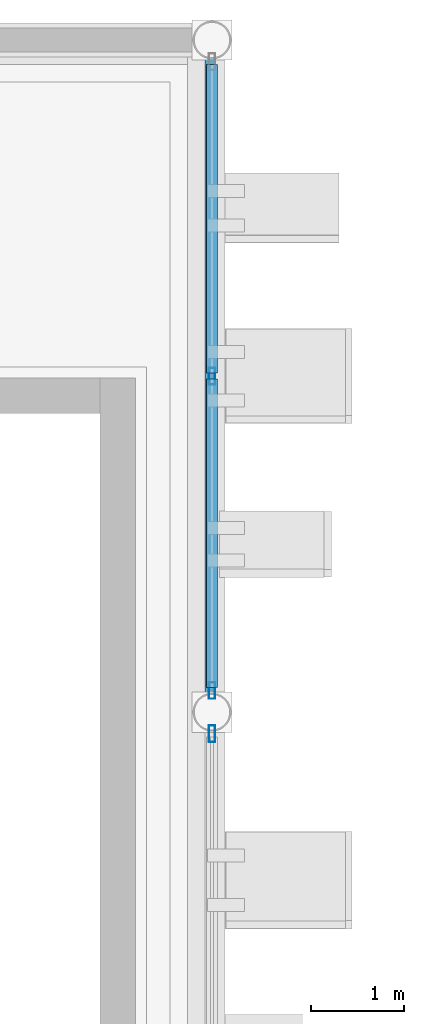
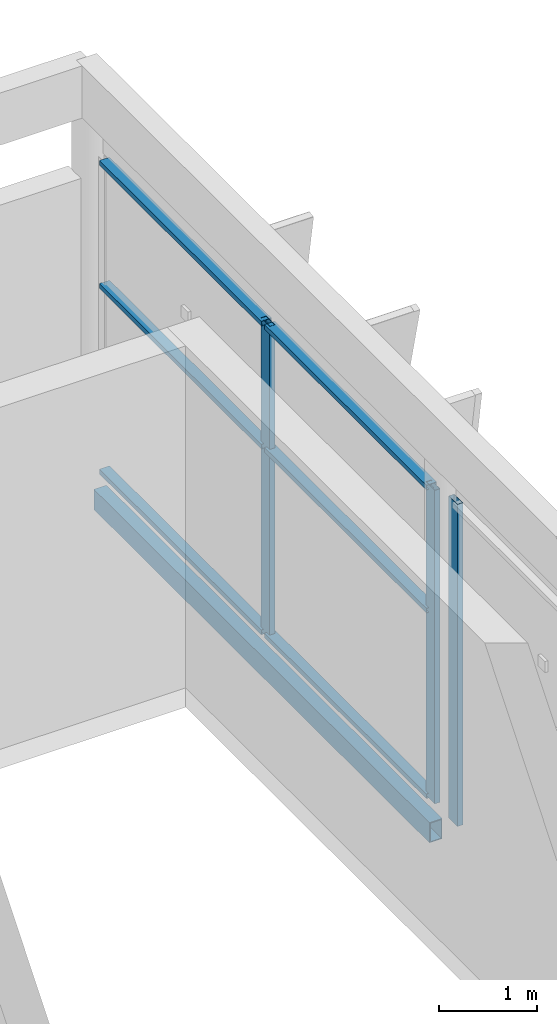
# One storey, part 33 of 52: 9 members, 1 beam, 2 elements without a shape of their own.
"""IFC4 building model written with IfcOpenShell, lengths in metres."""

from ifc_helpers import new_model, si_unit, direction, frame, origin, origin_2d, place, context, subcontext, project, spatial, hollow_rectangle, extrude, material, layer, layer_set, material_profile, profile_set, type_object, element, aggregate, save


model = new_model("IFC4")

# Units and contexts
model_context = context("Model", 3, precision=1e-05, world=origin(), true_north=direction((0.0, 1.0)))
body_context = subcontext(model_context, "Body", "Model", "MODEL_VIEW")
ifc_project = project(units=[si_unit("LENGTHUNIT", "METRE"), si_unit("AREAUNIT", "SQUARE_METRE"), si_unit("VOLUMEUNIT", "CUBIC_METRE"), si_unit("PLANEANGLEUNIT", "RADIAN"), si_unit("MASSUNIT", "GRAM", prefix="KILO")], contexts=[model_context])

# Site, building, storey
site_placement = place(None, origin())
site = spatial("IfcSite", under=ifc_project, at=site_placement, CompositionType="ELEMENT")
building_placement = place(site_placement, origin())
building = spatial("IfcBuilding", under=site, at=building_placement, Name="Celestram Park Convention Centre", CompositionType="ELEMENT")
storey_placement = place(building_placement, frame((0.0, 0.0, 24.300048828125)))
storey = spatial("IfcBuildingStorey", under=building, at=storey_placement, Name="L05", CompositionType="ELEMENT", Elevation=24.300048828125)

# Curtain wall, members
ifc_material_1 = material(Name="Anodised Aluminium Alloy 6063-T6", Category="aluminium")
ifc_layer_1 = layer(ifc_material_1, 0.179931640625)
ifc_layer_set_1 = layer_set([ifc_layer_1], Name="Anodised Aluminium Alloy 6063-T6")
curtain_wall_type_1 = type_object("IfcCurtainWallType", Name="ARC-CW-680X390", PredefinedType="NOTDEFINED", material=ifc_layer_set_1)
curtain_wall_1_placement = place(storey_placement, origin())
curtain_wall_1 = element("IfcCurtainWall", 1, at=curtain_wall_1_placement, inside=storey, type_object=curtain_wall_type_1, Name="Unitised curtain wall CU-L05-251", PredefinedType="NOTDEFINED")
ifc_material_profile_1 = material_profile(ifc_material_1, hollow_rectangle(XDim=0.06494140625, YDim=0.179931640625, WallThickness=0.00390625, at=origin_2d()), Name="ALU65X180X4")
ifc_profile_set_1 = profile_set([ifc_material_profile_1], Name="Anodised Aluminium Alloy 6063-T6")
member_type_1 = type_object("IfcMemberType", Name="ARC-CWM-150", PredefinedType="MULLION", material=ifc_profile_set_1)
member_1_placement = place(storey_placement, frame((99.0, 162.0, 0.0), z_axis=(0.0, 0.0, 1.0), x_axis=(1.0, 0.0, 0.0)))
member_1 = element("IfcMember", 2, at=member_1_placement, type_object=member_type_1, Name="CW-68X39 mullion 2", PredefinedType="MULLION", context=body_context, shape_type="SweptSolid", body=[
    extrude(hollow_rectangle(XDim=0.06494140625, YDim=0.179931640625, WallThickness=0.00390625, at=origin_2d()), origin(), (0.0, 0.0, 1.0), 3.904052734375),
])
member_2_placement = place(storey_placement, frame((99.0, 158.631591796875, 0.0), z_axis=(0.0, 0.0, 1.0), x_axis=(1.0, 0.0, 0.0)))
member_2 = element("IfcMember", 3, at=member_2_placement, type_object=member_type_1, Name="CW-68X39 mullion 3", PredefinedType="MULLION", context=body_context, shape_type="SweptSolid", body=[
    extrude(hollow_rectangle(XDim=0.06494140625, YDim=0.179931640625, WallThickness=0.00390625, at=origin_2d()), origin(), (0.0, 0.0, 1.0), 3.904052734375),
])

# Curtain wall, member
ifc_layer_2 = layer(ifc_material_1, 0.179931640625)
ifc_layer_set_2 = layer_set([ifc_layer_2], Name="Anodised Aluminium Alloy 6063-T6")
curtain_wall_type_2 = type_object("IfcCurtainWallType", Name="ARC-CW-680X401", PredefinedType="NOTDEFINED", material=ifc_layer_set_2)
curtain_wall_2_placement = place(storey_placement, origin())
curtain_wall_2 = element("IfcCurtainWall", 4, at=curtain_wall_2_placement, inside=storey, type_object=curtain_wall_type_2, Name="Unitised curtain wall CU-L05-252", PredefinedType="NOTDEFINED")
member_3_placement = place(storey_placement, frame((99.0, 158.16845703125, 0.0), z_axis=(0.0, 0.0, 1.0), x_axis=(1.0, 0.0, 0.0)))
member_3 = element("IfcMember", 5, at=member_3_placement, type_object=member_type_1, Name="CW-68X40 mullion 1", PredefinedType="MULLION", context=body_context, shape_type="SweptSolid", body=[
    extrude(hollow_rectangle(XDim=0.06494140625, YDim=0.179931640625, WallThickness=0.00390625, at=origin_2d()), origin(), (0.0, 0.0, 1.0), 4.010009765625),
])
aggregate(curtain_wall_2, [member_3])

# Member
ifc_material_profile_2 = material_profile(ifc_material_1, hollow_rectangle(XDim=0.1201171875, YDim=0.06005859375, WallThickness=0.0029296875, at=origin_2d()), Name="ALU120X60X3")
ifc_profile_set_2 = profile_set([ifc_material_profile_2], Name="Anodised Aluminium Alloy 6063-T6")
member_type_2 = type_object("IfcMemberType", Name="ARC-CWT-120", PredefinedType="USERDEFINED", material=ifc_profile_set_2)
member_4_placement = place(storey_placement, frame((99.0, 165.3359375, 0.030029296875), z_axis=(0.0, -1.0, 0.0), x_axis=(1.0, 0.0, 0.0)))
member_4 = element("IfcMember", 6, at=member_4_placement, type_object=member_type_2, Name="CW-68X39 transom 1.1", ObjectType="TRANSOM", PredefinedType="USERDEFINED", context=body_context, shape_type="SweptSolid", body=[
    extrude(hollow_rectangle(XDim=0.1201171875, YDim=0.06005859375, WallThickness=0.0029296875, at=origin_2d()), origin(), (0.0, 0.0, 1.0), 3.303466796875),
])

member_5_placement = place(storey_placement, frame((99.0, 165.3359375, 2.342041015625), z_axis=(0.0, -1.0, 0.0), x_axis=(1.0, 0.0, 0.0)))
member_5 = element("IfcMember", 7, at=member_5_placement, type_object=member_type_2, Name="CW-68X39 transom 1.2", ObjectType="TRANSOM", PredefinedType="USERDEFINED", context=body_context, shape_type="SweptSolid", body=[
    extrude(hollow_rectangle(XDim=0.1201171875, YDim=0.06005859375, WallThickness=0.0029296875, at=origin_2d()), origin(), (0.0, 0.0, 1.0), 3.303466796875),
])

member_6_placement = place(storey_placement, frame((99.0, 165.3359375, 3.8740234375), z_axis=(0.0, -1.0, 0.0), x_axis=(1.0, 0.0, 0.0)))
member_6 = element("IfcMember", 8, at=member_6_placement, type_object=member_type_2, Name="CW-68X39 transom 1.3", ObjectType="TRANSOM", PredefinedType="USERDEFINED", context=body_context, shape_type="SweptSolid", body=[
    extrude(hollow_rectangle(XDim=0.1201171875, YDim=0.06005859375, WallThickness=0.0029296875, at=origin_2d()), origin(), (0.0, 0.0, 1.0), 3.303466796875),
])

member_7_placement = place(storey_placement, frame((99.0, 161.967529296875, 0.030029296875), z_axis=(0.0, -1.0, 0.0), x_axis=(1.0, 0.0, 0.0)))
member_7 = element("IfcMember", 9, at=member_7_placement, type_object=member_type_2, Name="CW-68X39 transom 2.1", ObjectType="TRANSOM", PredefinedType="USERDEFINED", context=body_context, shape_type="SweptSolid", body=[
    extrude(hollow_rectangle(XDim=0.1201171875, YDim=0.06005859375, WallThickness=0.0029296875, at=origin_2d()), origin(), (0.0, 0.0, 1.0), 3.303466796875),
])

member_8_placement = place(storey_placement, frame((99.0, 161.967529296875, 2.342041015625), z_axis=(0.0, -1.0, 0.0), x_axis=(1.0, 0.0, 0.0)))
member_8 = element("IfcMember", 10, at=member_8_placement, type_object=member_type_2, Name="CW-68X39 transom 2.2", ObjectType="TRANSOM", PredefinedType="USERDEFINED", context=body_context, shape_type="SweptSolid", body=[
    extrude(hollow_rectangle(XDim=0.1201171875, YDim=0.06005859375, WallThickness=0.0029296875, at=origin_2d()), origin(), (0.0, 0.0, 1.0), 3.303466796875),
])

member_9_placement = place(storey_placement, frame((99.0, 161.967529296875, 3.8740234375), z_axis=(0.0, -1.0, 0.0), x_axis=(1.0, 0.0, 0.0)))
member_9 = element("IfcMember", 11, at=member_9_placement, type_object=member_type_2, Name="CW-68X39 transom 2.3", ObjectType="TRANSOM", PredefinedType="USERDEFINED", context=body_context, shape_type="SweptSolid", body=[
    extrude(hollow_rectangle(XDim=0.1201171875, YDim=0.06005859375, WallThickness=0.0029296875, at=origin_2d()), origin(), (0.0, 0.0, 1.0), 3.303466796875),
])

aggregate(curtain_wall_1, [member_1, member_2, member_4, member_5, member_6, member_7, member_8, member_9])

# Beam
ifc_material_2 = material(Name="Steel ASTM A500 Grade C", Category="steel")
ifc_material_profile_3 = material_profile(ifc_material_2, hollow_rectangle(XDim=0.14990234375, YDim=0.25, WallThickness=0.010009765625, at=origin_2d()), Name="HSS250X150X10")
ifc_profile_set_3 = profile_set([ifc_material_profile_3], Name="Steel ASTM A500 Grade C")
beam_type = type_object("IfcBeamType", Name="STR-SPN-HSS250X150", PredefinedType="SPANDREL", material=ifc_profile_set_3)
beam_placement = place(storey_placement, frame((99.0, 158.575927734375, -0.364990234375), z_axis=(0.0, 1.0, 0.0), x_axis=(-1.0, 0.0, 0.0)))
element("IfcBeam", 12, at=beam_placement, inside=storey, type_object=beam_type, Name="Primary Y-girder BG-L05-0108", PredefinedType="SPANDREL", context=body_context, shape_type="SweptSolid", body=[
    extrude(hollow_rectangle(XDim=0.14990234375, YDim=0.25, WallThickness=0.010009765625, at=origin_2d()), origin(), (0.0, 0.0, 1.0), 6.84814453125),
])

save(model, "model.ifc")
